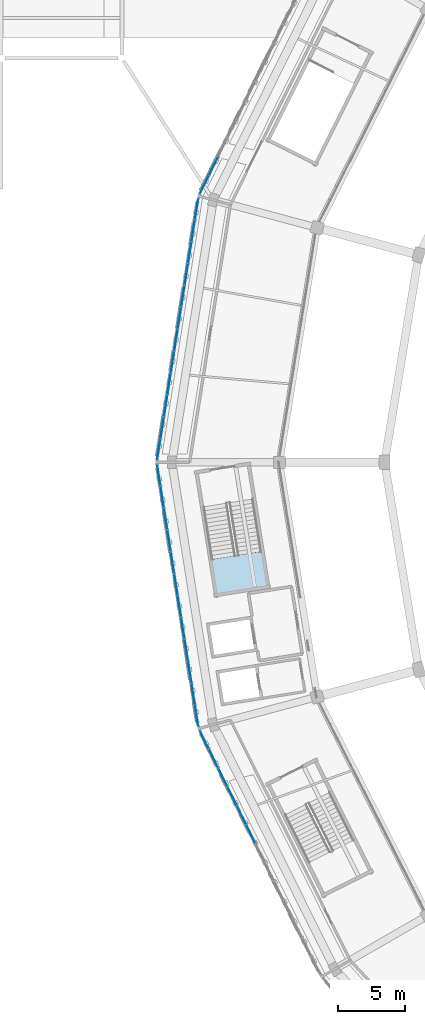
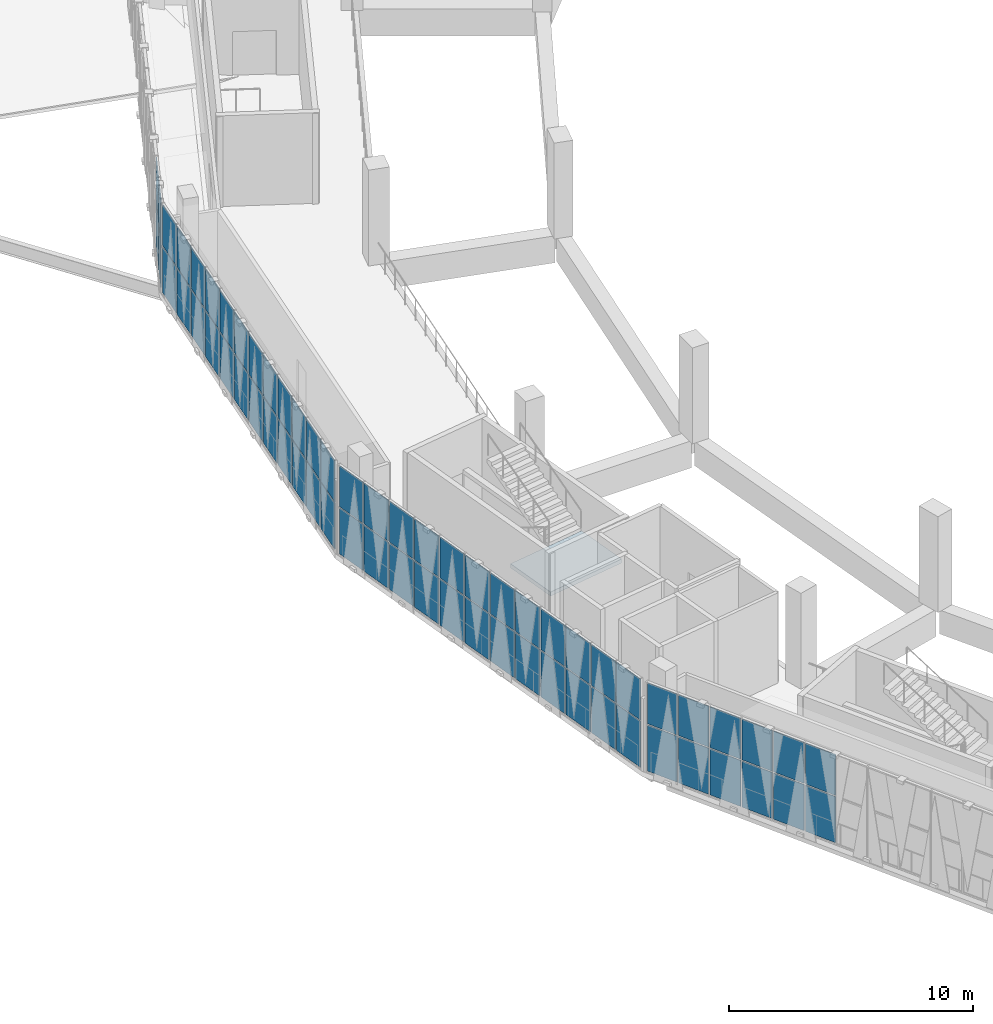
# One storey, part 53 of 108: 64 plates, 1 slab, 5 elements without a shape of their own.
"""IFC4 building model written with IfcOpenShell, lengths in metres."""

from ifc_helpers import new_model, si_unit, direction, frame, origin, origin_2d, place, context, subcontext, project, spatial, polyline, rectangle, outline, extrude, material, layer, layer_set, type_object, element, aggregate, save


model = new_model("IFC4")

# Units and contexts
model_context = context("Model", 3, precision=1e-05, world=origin(), true_north=direction((0.0, 1.0)))
body_context = subcontext(model_context, "Body", "Model", "MODEL_VIEW")
ifc_project = project(units=[si_unit("LENGTHUNIT", "METRE"), si_unit("AREAUNIT", "SQUARE_METRE"), si_unit("VOLUMEUNIT", "CUBIC_METRE"), si_unit("PLANEANGLEUNIT", "RADIAN"), si_unit("MASSUNIT", "GRAM", prefix="KILO")], contexts=[model_context])

# Site, building, storey
site_placement = place(None, origin())
site = spatial("IfcSite", under=ifc_project, at=site_placement, CompositionType="ELEMENT")
building_placement = place(site_placement, origin())
building = spatial("IfcBuilding", under=site, at=building_placement, Name="Zevraka Park Crest Stadium", CompositionType="ELEMENT")
storey_placement = place(building_placement, frame((0.0, 0.0, 19.800048828125)))
storey = spatial("IfcBuildingStorey", under=building, at=storey_placement, Name="L04", CompositionType="ELEMENT", Elevation=19.800048828125)

# Curtain wall, plates
ifc_material_1 = material(Name="Anodised architectural aluminium and laminated safety glass", Category="aluminium")
curtain_wall_type_1 = type_object("IfcCurtainWallType", Name="CW16", PredefinedType="NOTDEFINED", material=ifc_material_1)
curtain_wall_1_placement = place(storey_placement, origin())
curtain_wall_1 = element("IfcCurtainWall", 1, at=curtain_wall_1_placement, inside=storey, type_object=curtain_wall_type_1, Name="Unitised Ring Curtain Wall CW16 L04-11", PredefinedType="NOTDEFINED")
ifc_material_2 = material(Name="Solar-control laminated double glazing", Category="glass")
ifc_layer_1 = layer(ifc_material_2, 0.031982421875)
ifc_layer_set_1 = layer_set([ifc_layer_1], Name="Solar-control laminated double glazing")
plate_type_1 = type_object("IfcPlateType", Name="CP16", PredefinedType="CURTAIN_PANEL", material=ifc_layer_set_1)
plate_1_placement = place(storey_placement, frame((23.544677734375, 110.82080078125, 0.059814453125), z_axis=(0.0, 0.0, 1.0), x_axis=(-0.155539038066, -0.987829746281, 0.0)))
plate_1 = element("IfcPlate", 2, at=plate_1_placement, type_object=plate_type_1, Name="CW16 panel 1.1", PredefinedType="CURTAIN_PANEL", context=body_context, shape_type="SweptSolid", body=[
    extrude(rectangle(XDim=1.556884765625, YDim=0.031982421875, at=origin_2d()), origin(), (0.0, 0.0, 1.0), 2.31005859375),
])
plate_2_placement = place(storey_placement, frame((23.544677734375, 110.82080078125, 2.4296875), z_axis=(0.0, 0.0, 1.0), x_axis=(-0.155539038066, -0.987829746281, 0.0)))
plate_2 = element("IfcPlate", 3, at=plate_2_placement, type_object=plate_type_1, Name="CW16 panel 1.2", PredefinedType="CURTAIN_PANEL", context=body_context, shape_type="SweptSolid", body=[
    extrude(rectangle(XDim=1.556884765625, YDim=0.031982421875, at=origin_2d()), origin(), (0.0, 0.0, 1.0), 2.050048828125),
])
plate_3_placement = place(storey_placement, frame((23.290771484375, 109.208740234375, 0.059814453125), z_axis=(0.0, 0.0, 1.0), x_axis=(-0.155539038066, -0.987829746281, 0.0)))
plate_3 = element("IfcPlate", 4, at=plate_3_placement, type_object=plate_type_1, Name="CW16 panel 2.1", PredefinedType="CURTAIN_PANEL", context=body_context, shape_type="SweptSolid", body=[
    extrude(rectangle(XDim=1.5869140625, YDim=0.031982421875, at=origin_2d()), origin(), (0.0, 0.0, 1.0), 2.31005859375),
])
plate_4_placement = place(storey_placement, frame((23.290771484375, 109.208740234375, 2.4296875), z_axis=(0.0, 0.0, 1.0), x_axis=(-0.155539038066, -0.987829746281, 0.0)))
plate_4 = element("IfcPlate", 5, at=plate_4_placement, type_object=plate_type_1, Name="CW16 panel 2.2", PredefinedType="CURTAIN_PANEL", context=body_context, shape_type="SweptSolid", body=[
    extrude(rectangle(XDim=1.5869140625, YDim=0.031982421875, at=origin_2d()), origin(), (0.0, 0.0, 1.0), 2.050048828125),
])
plate_5_placement = place(storey_placement, frame((23.03466796875, 107.581787109375, 0.059814453125), z_axis=(0.0, 0.0, 1.0), x_axis=(-0.155539038066, -0.987829746281, 0.0)))
plate_5 = element("IfcPlate", 6, at=plate_5_placement, type_object=plate_type_1, Name="CW16 panel 3.1", PredefinedType="CURTAIN_PANEL", context=body_context, shape_type="SweptSolid", body=[
    extrude(rectangle(XDim=1.5869140625, YDim=0.031982421875, at=origin_2d()), origin(), (0.0, 0.0, 1.0), 2.31005859375),
])
plate_6_placement = place(storey_placement, frame((23.03466796875, 107.581787109375, 2.4296875), z_axis=(0.0, 0.0, 1.0), x_axis=(-0.155539038066, -0.987829746281, 0.0)))
plate_6 = element("IfcPlate", 7, at=plate_6_placement, type_object=plate_type_1, Name="CW16 panel 3.2", PredefinedType="CURTAIN_PANEL", context=body_context, shape_type="SweptSolid", body=[
    extrude(rectangle(XDim=1.5869140625, YDim=0.031982421875, at=origin_2d()), origin(), (0.0, 0.0, 1.0), 2.050048828125),
])
plate_7_placement = place(storey_placement, frame((22.7783203125, 105.954833984375, 0.059814453125), z_axis=(0.0, 0.0, 1.0), x_axis=(-0.155539038066, -0.987829746281, 0.0)))
plate_7 = element("IfcPlate", 8, at=plate_7_placement, type_object=plate_type_1, Name="CW16 panel 4.1", PredefinedType="CURTAIN_PANEL", context=body_context, shape_type="SweptSolid", body=[
    extrude(rectangle(XDim=1.5869140625, YDim=0.031982421875, at=origin_2d()), origin(), (0.0, 0.0, 1.0), 2.31005859375),
])
plate_8_placement = place(storey_placement, frame((22.7783203125, 105.954833984375, 2.4296875), z_axis=(0.0, 0.0, 1.0), x_axis=(-0.155539038066, -0.987829746281, 0.0)))
plate_8 = element("IfcPlate", 9, at=plate_8_placement, type_object=plate_type_1, Name="CW16 panel 4.2", PredefinedType="CURTAIN_PANEL", context=body_context, shape_type="SweptSolid", body=[
    extrude(rectangle(XDim=1.5869140625, YDim=0.031982421875, at=origin_2d()), origin(), (0.0, 0.0, 1.0), 2.050048828125),
])
plate_9_placement = place(storey_placement, frame((22.522216796875, 104.327880859375, 0.059814453125), z_axis=(0.0, 0.0, 1.0), x_axis=(-0.155539038066, -0.987829746281, 0.0)))
plate_9 = element("IfcPlate", 10, at=plate_9_placement, type_object=plate_type_1, Name="CW16 panel 5.1", PredefinedType="CURTAIN_PANEL", context=body_context, shape_type="SweptSolid", body=[
    extrude(rectangle(XDim=1.5869140625, YDim=0.031982421875, at=origin_2d()), origin(), (0.0, 0.0, 1.0), 2.31005859375),
])
plate_10_placement = place(storey_placement, frame((22.522216796875, 104.327880859375, 2.4296875), z_axis=(0.0, 0.0, 1.0), x_axis=(-0.155539038066, -0.987829746281, 0.0)))
plate_10 = element("IfcPlate", 11, at=plate_10_placement, type_object=plate_type_1, Name="CW16 panel 5.2", PredefinedType="CURTAIN_PANEL", context=body_context, shape_type="SweptSolid", body=[
    extrude(rectangle(XDim=1.5869140625, YDim=0.031982421875, at=origin_2d()), origin(), (0.0, 0.0, 1.0), 2.050048828125),
])
plate_11_placement = place(storey_placement, frame((22.26611328125, 102.700927734375, 0.059814453125), z_axis=(0.0, 0.0, 1.0), x_axis=(-0.155539038066, -0.987829746281, 0.0)))
plate_11 = element("IfcPlate", 12, at=plate_11_placement, type_object=plate_type_1, Name="CW16 panel 6.1", PredefinedType="CURTAIN_PANEL", context=body_context, shape_type="SweptSolid", body=[
    extrude(rectangle(XDim=1.5869140625, YDim=0.031982421875, at=origin_2d()), origin(), (0.0, 0.0, 1.0), 2.31005859375),
])
plate_12_placement = place(storey_placement, frame((22.26611328125, 102.700927734375, 2.4296875), z_axis=(0.0, 0.0, 1.0), x_axis=(-0.155539038066, -0.987829746281, 0.0)))
plate_12 = element("IfcPlate", 13, at=plate_12_placement, type_object=plate_type_1, Name="CW16 panel 6.2", PredefinedType="CURTAIN_PANEL", context=body_context, shape_type="SweptSolid", body=[
    extrude(rectangle(XDim=1.5869140625, YDim=0.031982421875, at=origin_2d()), origin(), (0.0, 0.0, 1.0), 2.050048828125),
])
plate_13_placement = place(storey_placement, frame((22.010009765625, 101.073974609375, 0.059814453125), z_axis=(0.0, 0.0, 1.0), x_axis=(-0.155539038066, -0.987829746281, 0.0)))
plate_13 = element("IfcPlate", 14, at=plate_13_placement, type_object=plate_type_1, Name="CW16 panel 7.1", PredefinedType="CURTAIN_PANEL", context=body_context, shape_type="SweptSolid", body=[
    extrude(rectangle(XDim=1.5869140625, YDim=0.031982421875, at=origin_2d()), origin(), (0.0, 0.0, 1.0), 2.31005859375),
])
plate_14_placement = place(storey_placement, frame((22.010009765625, 101.073974609375, 2.4296875), z_axis=(0.0, 0.0, 1.0), x_axis=(-0.155539038066, -0.987829746281, 0.0)))
plate_14 = element("IfcPlate", 15, at=plate_14_placement, type_object=plate_type_1, Name="CW16 panel 7.2", PredefinedType="CURTAIN_PANEL", context=body_context, shape_type="SweptSolid", body=[
    extrude(rectangle(XDim=1.5869140625, YDim=0.031982421875, at=origin_2d()), origin(), (0.0, 0.0, 1.0), 2.050048828125),
])
plate_15_placement = place(storey_placement, frame((21.753662109375, 99.447021484375, 0.059814453125), z_axis=(0.0, 0.0, 1.0), x_axis=(-0.155539038066, -0.987829746281, 0.0)))
plate_15 = element("IfcPlate", 16, at=plate_15_placement, type_object=plate_type_1, Name="CW16 panel 8.1", PredefinedType="CURTAIN_PANEL", context=body_context, shape_type="SweptSolid", body=[
    extrude(rectangle(XDim=1.5869140625, YDim=0.031982421875, at=origin_2d()), origin(), (0.0, 0.0, 1.0), 2.31005859375),
])
plate_16_placement = place(storey_placement, frame((21.753662109375, 99.447021484375, 2.4296875), z_axis=(0.0, 0.0, 1.0), x_axis=(-0.155539038066, -0.987829746281, 0.0)))
plate_16 = element("IfcPlate", 17, at=plate_16_placement, type_object=plate_type_1, Name="CW16 panel 8.2", PredefinedType="CURTAIN_PANEL", context=body_context, shape_type="SweptSolid", body=[
    extrude(rectangle(XDim=1.5869140625, YDim=0.031982421875, at=origin_2d()), origin(), (0.0, 0.0, 1.0), 2.050048828125),
])
plate_17_placement = place(storey_placement, frame((21.49755859375, 97.8203125, 0.059814453125), z_axis=(0.0, 0.0, 1.0), x_axis=(-0.155539038066, -0.987829746281, 0.0)))
plate_17 = element("IfcPlate", 18, at=plate_17_placement, type_object=plate_type_1, Name="CW16 panel 9.1", PredefinedType="CURTAIN_PANEL", context=body_context, shape_type="SweptSolid", body=[
    extrude(rectangle(XDim=1.5869140625, YDim=0.031982421875, at=origin_2d()), origin(), (0.0, 0.0, 1.0), 2.31005859375),
])
plate_18_placement = place(storey_placement, frame((21.49755859375, 97.8203125, 2.4296875), z_axis=(0.0, 0.0, 1.0), x_axis=(-0.155539038066, -0.987829746281, 0.0)))
plate_18 = element("IfcPlate", 19, at=plate_18_placement, type_object=plate_type_1, Name="CW16 panel 9.2", PredefinedType="CURTAIN_PANEL", context=body_context, shape_type="SweptSolid", body=[
    extrude(rectangle(XDim=1.5869140625, YDim=0.031982421875, at=origin_2d()), origin(), (0.0, 0.0, 1.0), 2.050048828125),
])
plate_19_placement = place(storey_placement, frame((21.241455078125, 96.193359375, 0.059814453125), z_axis=(0.0, 0.0, 1.0), x_axis=(-0.155539038066, -0.987829746281, 0.0)))
plate_19 = element("IfcPlate", 20, at=plate_19_placement, type_object=plate_type_1, Name="CW16 panel 10.1", PredefinedType="CURTAIN_PANEL", context=body_context, shape_type="SweptSolid", body=[
    extrude(rectangle(XDim=1.5869140625, YDim=0.031982421875, at=origin_2d()), origin(), (0.0, 0.0, 1.0), 2.31005859375),
])
plate_20_placement = place(storey_placement, frame((21.241455078125, 96.193359375, 2.4296875), z_axis=(0.0, 0.0, 1.0), x_axis=(-0.155539038066, -0.987829746281, 0.0)))
plate_20 = element("IfcPlate", 21, at=plate_20_placement, type_object=plate_type_1, Name="CW16 panel 10.2", PredefinedType="CURTAIN_PANEL", context=body_context, shape_type="SweptSolid", body=[
    extrude(rectangle(XDim=1.5869140625, YDim=0.031982421875, at=origin_2d()), origin(), (0.0, 0.0, 1.0), 2.050048828125),
])
plate_21_placement = place(storey_placement, frame((20.9853515625, 94.56640625, 0.059814453125), z_axis=(0.0, 0.0, 1.0), x_axis=(-0.155539038066, -0.987829746281, 0.0)))
plate_21 = element("IfcPlate", 22, at=plate_21_placement, type_object=plate_type_1, Name="CW16 panel 11.1", PredefinedType="CURTAIN_PANEL", context=body_context, shape_type="SweptSolid", body=[
    extrude(rectangle(XDim=1.5869140625, YDim=0.031982421875, at=origin_2d()), origin(), (0.0, 0.0, 1.0), 2.31005859375),
])
plate_22_placement = place(storey_placement, frame((20.9853515625, 94.56640625, 2.4296875), z_axis=(0.0, 0.0, 1.0), x_axis=(-0.155539038066, -0.987829746281, 0.0)))
plate_22 = element("IfcPlate", 23, at=plate_22_placement, type_object=plate_type_1, Name="CW16 panel 11.2", PredefinedType="CURTAIN_PANEL", context=body_context, shape_type="SweptSolid", body=[
    extrude(rectangle(XDim=1.5869140625, YDim=0.031982421875, at=origin_2d()), origin(), (0.0, 0.0, 1.0), 2.050048828125),
])
plate_23_placement = place(storey_placement, frame((20.7314453125, 92.954345703125, 0.059814453125), z_axis=(0.0, 0.0, 1.0), x_axis=(-0.155539038066, -0.987829746281, 0.0)))
plate_23 = element("IfcPlate", 24, at=plate_23_placement, type_object=plate_type_1, Name="CW16 panel 12.1", PredefinedType="CURTAIN_PANEL", context=body_context, shape_type="SweptSolid", body=[
    extrude(rectangle(XDim=1.556884765625, YDim=0.031982421875, at=origin_2d()), origin(), (0.0, 0.0, 1.0), 2.31005859375),
])
plate_24_placement = place(storey_placement, frame((20.7314453125, 92.954345703125, 2.4296875), z_axis=(0.0, 0.0, 1.0), x_axis=(-0.155539038066, -0.987829746281, 0.0)))
plate_24 = element("IfcPlate", 25, at=plate_24_placement, type_object=plate_type_1, Name="CW16 panel 12.2", PredefinedType="CURTAIN_PANEL", context=body_context, shape_type="SweptSolid", body=[
    extrude(rectangle(XDim=1.556884765625, YDim=0.031982421875, at=origin_2d()), origin(), (0.0, 0.0, 1.0), 2.050048828125),
])
aggregate(curtain_wall_1, [plate_1, plate_2, plate_3, plate_4, plate_5, plate_6, plate_7, plate_8, plate_9, plate_10, plate_11, plate_12, plate_13, plate_14, plate_15, plate_16, plate_17, plate_18, plate_19, plate_20, plate_21, plate_22, plate_23, plate_24])

curtain_wall_2_placement = place(storey_placement, origin())
curtain_wall_2 = element("IfcCurtainWall", 26, at=curtain_wall_2_placement, inside=storey, type_object=curtain_wall_type_1, Name="Unitised Ring Curtain Wall CW16 L04-12", PredefinedType="NOTDEFINED")
plate_25_placement = place(storey_placement, frame((20.7314453125, 91.045654296875, 0.059814453125), z_axis=(0.0, 0.0, 1.0), x_axis=(0.155539038066, -0.987829746281, 0.0)))
plate_25 = element("IfcPlate", 27, at=plate_25_placement, type_object=plate_type_1, Name="CW16 panel 1.1", PredefinedType="CURTAIN_PANEL", context=body_context, shape_type="SweptSolid", body=[
    extrude(rectangle(XDim=1.556884765625, YDim=0.031982421875, at=origin_2d()), origin(), (0.0, 0.0, 1.0), 2.31005859375),
])
plate_26_placement = place(storey_placement, frame((20.7314453125, 91.045654296875, 2.4296875), z_axis=(0.0, 0.0, 1.0), x_axis=(0.155539038066, -0.987829746281, 0.0)))
plate_26 = element("IfcPlate", 28, at=plate_26_placement, type_object=plate_type_1, Name="CW16 panel 1.2", PredefinedType="CURTAIN_PANEL", context=body_context, shape_type="SweptSolid", body=[
    extrude(rectangle(XDim=1.556884765625, YDim=0.031982421875, at=origin_2d()), origin(), (0.0, 0.0, 1.0), 2.050048828125),
])
plate_27_placement = place(storey_placement, frame((20.9853515625, 89.43359375, 0.059814453125), z_axis=(0.0, 0.0, 1.0), x_axis=(0.155539038066, -0.987829746281, 0.0)))
plate_27 = element("IfcPlate", 29, at=plate_27_placement, type_object=plate_type_1, Name="CW16 panel 2.1", PredefinedType="CURTAIN_PANEL", context=body_context, shape_type="SweptSolid", body=[
    extrude(rectangle(XDim=1.5869140625, YDim=0.031982421875, at=origin_2d()), origin(), (0.0, 0.0, 1.0), 2.31005859375),
])
plate_28_placement = place(storey_placement, frame((20.9853515625, 89.43359375, 2.4296875), z_axis=(0.0, 0.0, 1.0), x_axis=(0.155539038066, -0.987829746281, 0.0)))
plate_28 = element("IfcPlate", 30, at=plate_28_placement, type_object=plate_type_1, Name="CW16 panel 2.2", PredefinedType="CURTAIN_PANEL", context=body_context, shape_type="SweptSolid", body=[
    extrude(rectangle(XDim=1.5869140625, YDim=0.031982421875, at=origin_2d()), origin(), (0.0, 0.0, 1.0), 2.050048828125),
])
plate_29_placement = place(storey_placement, frame((21.241455078125, 87.806640625, 0.059814453125), z_axis=(0.0, 0.0, 1.0), x_axis=(0.155539038066, -0.987829746281, 0.0)))
plate_29 = element("IfcPlate", 31, at=plate_29_placement, type_object=plate_type_1, Name="CW16 panel 3.1", PredefinedType="CURTAIN_PANEL", context=body_context, shape_type="SweptSolid", body=[
    extrude(rectangle(XDim=1.5869140625, YDim=0.031982421875, at=origin_2d()), origin(), (0.0, 0.0, 1.0), 2.31005859375),
])
plate_30_placement = place(storey_placement, frame((21.241455078125, 87.806640625, 2.4296875), z_axis=(0.0, 0.0, 1.0), x_axis=(0.155539038066, -0.987829746281, 0.0)))
plate_30 = element("IfcPlate", 32, at=plate_30_placement, type_object=plate_type_1, Name="CW16 panel 3.2", PredefinedType="CURTAIN_PANEL", context=body_context, shape_type="SweptSolid", body=[
    extrude(rectangle(XDim=1.5869140625, YDim=0.031982421875, at=origin_2d()), origin(), (0.0, 0.0, 1.0), 2.050048828125),
])
plate_31_placement = place(storey_placement, frame((21.49755859375, 86.1796875, 0.059814453125), z_axis=(0.0, 0.0, 1.0), x_axis=(0.155539038066, -0.987829746281, 0.0)))
plate_31 = element("IfcPlate", 33, at=plate_31_placement, type_object=plate_type_1, Name="CW16 panel 4.1", PredefinedType="CURTAIN_PANEL", context=body_context, shape_type="SweptSolid", body=[
    extrude(rectangle(XDim=1.5869140625, YDim=0.031982421875, at=origin_2d()), origin(), (0.0, 0.0, 1.0), 2.31005859375),
])
plate_32_placement = place(storey_placement, frame((21.49755859375, 86.1796875, 2.4296875), z_axis=(0.0, 0.0, 1.0), x_axis=(0.155539038066, -0.987829746281, 0.0)))
plate_32 = element("IfcPlate", 34, at=plate_32_placement, type_object=plate_type_1, Name="CW16 panel 4.2", PredefinedType="CURTAIN_PANEL", context=body_context, shape_type="SweptSolid", body=[
    extrude(rectangle(XDim=1.5869140625, YDim=0.031982421875, at=origin_2d()), origin(), (0.0, 0.0, 1.0), 2.050048828125),
])
plate_33_placement = place(storey_placement, frame((21.753662109375, 84.552978515625, 0.059814453125), z_axis=(0.0, 0.0, 1.0), x_axis=(0.155539038066, -0.987829746281, 0.0)))
plate_33 = element("IfcPlate", 35, at=plate_33_placement, type_object=plate_type_1, Name="CW16 panel 5.1", PredefinedType="CURTAIN_PANEL", context=body_context, shape_type="SweptSolid", body=[
    extrude(rectangle(XDim=1.5869140625, YDim=0.031982421875, at=origin_2d()), origin(), (0.0, 0.0, 1.0), 2.31005859375),
])
plate_34_placement = place(storey_placement, frame((21.753662109375, 84.552978515625, 2.4296875), z_axis=(0.0, 0.0, 1.0), x_axis=(0.155539038066, -0.987829746281, 0.0)))
plate_34 = element("IfcPlate", 36, at=plate_34_placement, type_object=plate_type_1, Name="CW16 panel 5.2", PredefinedType="CURTAIN_PANEL", context=body_context, shape_type="SweptSolid", body=[
    extrude(rectangle(XDim=1.5869140625, YDim=0.031982421875, at=origin_2d()), origin(), (0.0, 0.0, 1.0), 2.050048828125),
])
plate_35_placement = place(storey_placement, frame((22.010009765625, 82.926025390625, 0.059814453125), z_axis=(0.0, 0.0, 1.0), x_axis=(0.155539038066, -0.987829746281, 0.0)))
plate_35 = element("IfcPlate", 37, at=plate_35_placement, type_object=plate_type_1, Name="CW16 panel 6.1", PredefinedType="CURTAIN_PANEL", context=body_context, shape_type="SweptSolid", body=[
    extrude(rectangle(XDim=1.5869140625, YDim=0.031982421875, at=origin_2d()), origin(), (0.0, 0.0, 1.0), 2.31005859375),
])
plate_36_placement = place(storey_placement, frame((22.010009765625, 82.926025390625, 2.4296875), z_axis=(0.0, 0.0, 1.0), x_axis=(0.155539038066, -0.987829746281, 0.0)))
plate_36 = element("IfcPlate", 38, at=plate_36_placement, type_object=plate_type_1, Name="CW16 panel 6.2", PredefinedType="CURTAIN_PANEL", context=body_context, shape_type="SweptSolid", body=[
    extrude(rectangle(XDim=1.5869140625, YDim=0.031982421875, at=origin_2d()), origin(), (0.0, 0.0, 1.0), 2.050048828125),
])
plate_37_placement = place(storey_placement, frame((22.26611328125, 81.299072265625, 0.059814453125), z_axis=(0.0, 0.0, 1.0), x_axis=(0.155539038066, -0.987829746281, 0.0)))
plate_37 = element("IfcPlate", 39, at=plate_37_placement, type_object=plate_type_1, Name="CW16 panel 7.1", PredefinedType="CURTAIN_PANEL", context=body_context, shape_type="SweptSolid", body=[
    extrude(rectangle(XDim=1.5869140625, YDim=0.031982421875, at=origin_2d()), origin(), (0.0, 0.0, 1.0), 2.31005859375),
])
plate_38_placement = place(storey_placement, frame((22.26611328125, 81.299072265625, 2.4296875), z_axis=(0.0, 0.0, 1.0), x_axis=(0.155539038066, -0.987829746281, 0.0)))
plate_38 = element("IfcPlate", 40, at=plate_38_placement, type_object=plate_type_1, Name="CW16 panel 7.2", PredefinedType="CURTAIN_PANEL", context=body_context, shape_type="SweptSolid", body=[
    extrude(rectangle(XDim=1.5869140625, YDim=0.031982421875, at=origin_2d()), origin(), (0.0, 0.0, 1.0), 2.050048828125),
])
plate_39_placement = place(storey_placement, frame((22.522216796875, 79.672119140625, 0.059814453125), z_axis=(0.0, 0.0, 1.0), x_axis=(0.155539038066, -0.987829746281, 0.0)))
plate_39 = element("IfcPlate", 41, at=plate_39_placement, type_object=plate_type_1, Name="CW16 panel 8.1", PredefinedType="CURTAIN_PANEL", context=body_context, shape_type="SweptSolid", body=[
    extrude(rectangle(XDim=1.5869140625, YDim=0.031982421875, at=origin_2d()), origin(), (0.0, 0.0, 1.0), 2.31005859375),
])
plate_40_placement = place(storey_placement, frame((22.522216796875, 79.672119140625, 2.4296875), z_axis=(0.0, 0.0, 1.0), x_axis=(0.155539038066, -0.987829746281, 0.0)))
plate_40 = element("IfcPlate", 42, at=plate_40_placement, type_object=plate_type_1, Name="CW16 panel 8.2", PredefinedType="CURTAIN_PANEL", context=body_context, shape_type="SweptSolid", body=[
    extrude(rectangle(XDim=1.5869140625, YDim=0.031982421875, at=origin_2d()), origin(), (0.0, 0.0, 1.0), 2.050048828125),
])
plate_41_placement = place(storey_placement, frame((22.7783203125, 78.045166015625, 0.059814453125), z_axis=(0.0, 0.0, 1.0), x_axis=(0.155539038066, -0.987829746281, 0.0)))
plate_41 = element("IfcPlate", 43, at=plate_41_placement, type_object=plate_type_1, Name="CW16 panel 9.1", PredefinedType="CURTAIN_PANEL", context=body_context, shape_type="SweptSolid", body=[
    extrude(rectangle(XDim=1.5869140625, YDim=0.031982421875, at=origin_2d()), origin(), (0.0, 0.0, 1.0), 2.31005859375),
])
plate_42_placement = place(storey_placement, frame((22.7783203125, 78.045166015625, 2.4296875), z_axis=(0.0, 0.0, 1.0), x_axis=(0.155539038066, -0.987829746281, 0.0)))
plate_42 = element("IfcPlate", 44, at=plate_42_placement, type_object=plate_type_1, Name="CW16 panel 9.2", PredefinedType="CURTAIN_PANEL", context=body_context, shape_type="SweptSolid", body=[
    extrude(rectangle(XDim=1.5869140625, YDim=0.031982421875, at=origin_2d()), origin(), (0.0, 0.0, 1.0), 2.050048828125),
])
plate_43_placement = place(storey_placement, frame((23.03466796875, 76.418212890625, 0.059814453125), z_axis=(0.0, 0.0, 1.0), x_axis=(0.155539038066, -0.987829746281, 0.0)))
plate_43 = element("IfcPlate", 45, at=plate_43_placement, type_object=plate_type_1, Name="CW16 panel 10.1", PredefinedType="CURTAIN_PANEL", context=body_context, shape_type="SweptSolid", body=[
    extrude(rectangle(XDim=1.5869140625, YDim=0.031982421875, at=origin_2d()), origin(), (0.0, 0.0, 1.0), 2.31005859375),
])
plate_44_placement = place(storey_placement, frame((23.03466796875, 76.418212890625, 2.4296875), z_axis=(0.0, 0.0, 1.0), x_axis=(0.155539038066, -0.987829746281, 0.0)))
plate_44 = element("IfcPlate", 46, at=plate_44_placement, type_object=plate_type_1, Name="CW16 panel 10.2", PredefinedType="CURTAIN_PANEL", context=body_context, shape_type="SweptSolid", body=[
    extrude(rectangle(XDim=1.5869140625, YDim=0.031982421875, at=origin_2d()), origin(), (0.0, 0.0, 1.0), 2.050048828125),
])
plate_45_placement = place(storey_placement, frame((23.290771484375, 74.791259765625, 0.059814453125), z_axis=(0.0, 0.0, 1.0), x_axis=(0.155539038066, -0.987829746281, 0.0)))
plate_45 = element("IfcPlate", 47, at=plate_45_placement, type_object=plate_type_1, Name="CW16 panel 11.1", PredefinedType="CURTAIN_PANEL", context=body_context, shape_type="SweptSolid", body=[
    extrude(rectangle(XDim=1.5869140625, YDim=0.031982421875, at=origin_2d()), origin(), (0.0, 0.0, 1.0), 2.31005859375),
])
plate_46_placement = place(storey_placement, frame((23.290771484375, 74.791259765625, 2.4296875), z_axis=(0.0, 0.0, 1.0), x_axis=(0.155539038066, -0.987829746281, 0.0)))
plate_46 = element("IfcPlate", 48, at=plate_46_placement, type_object=plate_type_1, Name="CW16 panel 11.2", PredefinedType="CURTAIN_PANEL", context=body_context, shape_type="SweptSolid", body=[
    extrude(rectangle(XDim=1.5869140625, YDim=0.031982421875, at=origin_2d()), origin(), (0.0, 0.0, 1.0), 2.050048828125),
])
plate_47_placement = place(storey_placement, frame((23.544677734375, 73.17919921875, 0.059814453125), z_axis=(0.0, 0.0, 1.0), x_axis=(0.155539038066, -0.987829746281, 0.0)))
plate_47 = element("IfcPlate", 49, at=plate_47_placement, type_object=plate_type_1, Name="CW16 panel 12.1", PredefinedType="CURTAIN_PANEL", context=body_context, shape_type="SweptSolid", body=[
    extrude(rectangle(XDim=1.556884765625, YDim=0.031982421875, at=origin_2d()), origin(), (0.0, 0.0, 1.0), 2.31005859375),
])
plate_48_placement = place(storey_placement, frame((23.544677734375, 73.17919921875, 2.4296875), z_axis=(0.0, 0.0, 1.0), x_axis=(0.155539038066, -0.987829746281, 0.0)))
plate_48 = element("IfcPlate", 50, at=plate_48_placement, type_object=plate_type_1, Name="CW16 panel 12.2", PredefinedType="CURTAIN_PANEL", context=body_context, shape_type="SweptSolid", body=[
    extrude(rectangle(XDim=1.556884765625, YDim=0.031982421875, at=origin_2d()), origin(), (0.0, 0.0, 1.0), 2.050048828125),
])
aggregate(curtain_wall_2, [plate_25, plate_26, plate_27, plate_28, plate_29, plate_30, plate_31, plate_32, plate_33, plate_34, plate_35, plate_36, plate_37, plate_38, plate_39, plate_40, plate_41, plate_42, plate_43, plate_44, plate_45, plate_46, plate_47, plate_48])

ifc_material_3 = material(Name="Anodised architectural aluminium and laminated safety glass", Category="aluminium")
curtain_wall_type_2 = type_object("IfcCurtainWallType", Name="CW17", PredefinedType="NOTDEFINED", material=ifc_material_3)
curtain_wall_3_placement = place(storey_placement, origin())
curtain_wall_3 = element("IfcCurtainWall", 51, at=curtain_wall_3_placement, inside=storey, type_object=curtain_wall_type_2, Name="Unitised Ring Curtain Wall CW17 L04-10", PredefinedType="NOTDEFINED")
ifc_material_4 = material(Name="Solar-control laminated double glazing", Category="glass")
ifc_layer_2 = layer(ifc_material_4, 0.031982421875)
ifc_layer_set_2 = layer_set([ifc_layer_2], Name="Solar-control laminated double glazing")
plate_type_2 = type_object("IfcPlateType", Name="CP17", PredefinedType="CURTAIN_PANEL", material=ifc_layer_set_2)
plate_49_placement = place(storey_placement, frame((24.79248046875, 113.989990234375, 0.06494140625), z_axis=(0.0, 0.0, 1.0), x_axis=(-0.443961067545, -0.896046076106, 0.0)))
plate_49 = element("IfcPlate", 52, at=plate_49_placement, type_object=plate_type_2, Name="CW17 panel 12.1", PredefinedType="CURTAIN_PANEL", context=body_context, shape_type="SweptSolid", body=[
    extrude(rectangle(XDim=1.497314453125, YDim=0.031982421875, at=origin_2d()), origin(), (0.0, 0.0, 1.0), 2.302490234375),
])
plate_50_placement = place(storey_placement, frame((24.79248046875, 113.989990234375, 2.432373046875), z_axis=(0.0, 0.0, 1.0), x_axis=(-0.443961067545, -0.896046076106, 0.0)))
plate_50 = element("IfcPlate", 53, at=plate_50_placement, type_object=plate_type_2, Name="CW17 panel 12.2", PredefinedType="CURTAIN_PANEL", context=body_context, shape_type="SweptSolid", body=[
    extrude(rectangle(XDim=1.497314453125, YDim=0.031982421875, at=origin_2d()), origin(), (0.0, 0.0, 1.0), 2.04248046875),
])
plate_51_placement = place(storey_placement, frame((24.10595703125, 112.6044921875, 0.06494140625), z_axis=(0.0, 0.0, 1.0), x_axis=(-0.443961067545, -0.896046076106, 0.0)))
plate_51 = element("IfcPlate", 54, at=plate_51_placement, type_object=plate_type_2, Name="CW17 panel 13.1", PredefinedType="CURTAIN_PANEL", context=body_context, shape_type="SweptSolid", body=[
    extrude(rectangle(XDim=1.46484375, YDim=0.031982421875, at=origin_2d()), origin(), (0.0, 0.0, 1.0), 2.302490234375),
])
plate_52_placement = place(storey_placement, frame((24.10595703125, 112.6044921875, 2.432373046875), z_axis=(0.0, 0.0, 1.0), x_axis=(-0.443961067545, -0.896046076106, 0.0)))
plate_52 = element("IfcPlate", 55, at=plate_52_placement, type_object=plate_type_2, Name="CW17 panel 13.2", PredefinedType="CURTAIN_PANEL", context=body_context, shape_type="SweptSolid", body=[
    extrude(rectangle(XDim=1.46484375, YDim=0.031982421875, at=origin_2d()), origin(), (0.0, 0.0, 1.0), 2.04248046875),
])
aggregate(curtain_wall_3, [plate_49, plate_50, plate_51, plate_52])

curtain_wall_4_placement = place(storey_placement, origin())
curtain_wall_4 = element("IfcCurtainWall", 56, at=curtain_wall_4_placement, inside=storey, type_object=curtain_wall_type_2, Name="Unitised Ring Curtain Wall CW17 L04-13", PredefinedType="NOTDEFINED")
plate_53_placement = place(storey_placement, frame((24.10595703125, 71.3955078125, 0.06494140625), z_axis=(0.0, 0.0, 1.0), x_axis=(0.443961067545, -0.896046076106, 0.0)))
plate_53 = element("IfcPlate", 57, at=plate_53_placement, type_object=plate_type_2, Name="CW17 panel 1.1", PredefinedType="CURTAIN_PANEL", context=body_context, shape_type="SweptSolid", body=[
    extrude(rectangle(XDim=1.46484375, YDim=0.031982421875, at=origin_2d()), origin(), (0.0, 0.0, 1.0), 2.302490234375),
])
plate_54_placement = place(storey_placement, frame((24.10595703125, 71.3955078125, 2.432373046875), z_axis=(0.0, 0.0, 1.0), x_axis=(0.443961067545, -0.896046076106, 0.0)))
plate_54 = element("IfcPlate", 58, at=plate_54_placement, type_object=plate_type_2, Name="CW17 panel 1.2", PredefinedType="CURTAIN_PANEL", context=body_context, shape_type="SweptSolid", body=[
    extrude(rectangle(XDim=1.46484375, YDim=0.031982421875, at=origin_2d()), origin(), (0.0, 0.0, 1.0), 2.04248046875),
])
plate_55_placement = place(storey_placement, frame((24.79248046875, 70.010009765625, 0.06494140625), z_axis=(0.0, 0.0, 1.0), x_axis=(0.443961067545, -0.896046076106, 0.0)))
plate_55 = element("IfcPlate", 59, at=plate_55_placement, type_object=plate_type_2, Name="CW17 panel 2.1", PredefinedType="CURTAIN_PANEL", context=body_context, shape_type="SweptSolid", body=[
    extrude(rectangle(XDim=1.497314453125, YDim=0.031982421875, at=origin_2d()), origin(), (0.0, 0.0, 1.0), 2.302490234375),
])
plate_56_placement = place(storey_placement, frame((24.79248046875, 70.010009765625, 2.432373046875), z_axis=(0.0, 0.0, 1.0), x_axis=(0.443961067545, -0.896046076106, 0.0)))
plate_56 = element("IfcPlate", 60, at=plate_56_placement, type_object=plate_type_2, Name="CW17 panel 2.2", PredefinedType="CURTAIN_PANEL", context=body_context, shape_type="SweptSolid", body=[
    extrude(rectangle(XDim=1.497314453125, YDim=0.031982421875, at=origin_2d()), origin(), (0.0, 0.0, 1.0), 2.04248046875),
])
plate_57_placement = place(storey_placement, frame((25.486083984375, 68.610107421875, 0.06494140625), z_axis=(0.0, 0.0, 1.0), x_axis=(0.443961067545, -0.896046076106, 0.0)))
plate_57 = element("IfcPlate", 61, at=plate_57_placement, type_object=plate_type_2, Name="CW17 panel 3.1", PredefinedType="CURTAIN_PANEL", context=body_context, shape_type="SweptSolid", body=[
    extrude(rectangle(XDim=1.497314453125, YDim=0.031982421875, at=origin_2d()), origin(), (0.0, 0.0, 1.0), 2.302490234375),
])
plate_58_placement = place(storey_placement, frame((25.486083984375, 68.610107421875, 2.432373046875), z_axis=(0.0, 0.0, 1.0), x_axis=(0.443961067545, -0.896046076106, 0.0)))
plate_58 = element("IfcPlate", 62, at=plate_58_placement, type_object=plate_type_2, Name="CW17 panel 3.2", PredefinedType="CURTAIN_PANEL", context=body_context, shape_type="SweptSolid", body=[
    extrude(rectangle(XDim=1.497314453125, YDim=0.031982421875, at=origin_2d()), origin(), (0.0, 0.0, 1.0), 2.04248046875),
])
plate_59_placement = place(storey_placement, frame((26.1796875, 67.210205078125, 0.06494140625), z_axis=(0.0, 0.0, 1.0), x_axis=(0.443961067545, -0.896046076106, 0.0)))
plate_59 = element("IfcPlate", 63, at=plate_59_placement, type_object=plate_type_2, Name="CW17 panel 4.1", PredefinedType="CURTAIN_PANEL", context=body_context, shape_type="SweptSolid", body=[
    extrude(rectangle(XDim=1.497314453125, YDim=0.031982421875, at=origin_2d()), origin(), (0.0, 0.0, 1.0), 2.302490234375),
])
plate_60_placement = place(storey_placement, frame((26.1796875, 67.210205078125, 2.432373046875), z_axis=(0.0, 0.0, 1.0), x_axis=(0.443961067545, -0.896046076106, 0.0)))
plate_60 = element("IfcPlate", 64, at=plate_60_placement, type_object=plate_type_2, Name="CW17 panel 4.2", PredefinedType="CURTAIN_PANEL", context=body_context, shape_type="SweptSolid", body=[
    extrude(rectangle(XDim=1.497314453125, YDim=0.031982421875, at=origin_2d()), origin(), (0.0, 0.0, 1.0), 2.04248046875),
])
plate_61_placement = place(storey_placement, frame((26.873291015625, 65.810302734375, 0.06494140625), z_axis=(0.0, 0.0, 1.0), x_axis=(0.443961067545, -0.896046076106, 0.0)))
plate_61 = element("IfcPlate", 65, at=plate_61_placement, type_object=plate_type_2, Name="CW17 panel 5.1", PredefinedType="CURTAIN_PANEL", context=body_context, shape_type="SweptSolid", body=[
    extrude(rectangle(XDim=1.497314453125, YDim=0.031982421875, at=origin_2d()), origin(), (0.0, 0.0, 1.0), 2.302490234375),
])
plate_62_placement = place(storey_placement, frame((26.873291015625, 65.810302734375, 2.432373046875), z_axis=(0.0, 0.0, 1.0), x_axis=(0.443961067545, -0.896046076106, 0.0)))
plate_62 = element("IfcPlate", 66, at=plate_62_placement, type_object=plate_type_2, Name="CW17 panel 5.2", PredefinedType="CURTAIN_PANEL", context=body_context, shape_type="SweptSolid", body=[
    extrude(rectangle(XDim=1.497314453125, YDim=0.031982421875, at=origin_2d()), origin(), (0.0, 0.0, 1.0), 2.04248046875),
])
plate_63_placement = place(storey_placement, frame((27.56689453125, 64.410400390625, 0.06494140625), z_axis=(0.0, 0.0, 1.0), x_axis=(0.443961067545, -0.896046076106, 0.0)))
plate_63 = element("IfcPlate", 67, at=plate_63_placement, type_object=plate_type_2, Name="CW17 panel 6.1", PredefinedType="CURTAIN_PANEL", context=body_context, shape_type="SweptSolid", body=[
    extrude(rectangle(XDim=1.497314453125, YDim=0.031982421875, at=origin_2d()), origin(), (0.0, 0.0, 1.0), 2.302490234375),
])
plate_64_placement = place(storey_placement, frame((27.56689453125, 64.410400390625, 2.432373046875), z_axis=(0.0, 0.0, 1.0), x_axis=(0.443961067545, -0.896046076106, 0.0)))
plate_64 = element("IfcPlate", 68, at=plate_64_placement, type_object=plate_type_2, Name="CW17 panel 6.2", PredefinedType="CURTAIN_PANEL", context=body_context, shape_type="SweptSolid", body=[
    extrude(rectangle(XDim=1.497314453125, YDim=0.031982421875, at=origin_2d()), origin(), (0.0, 0.0, 1.0), 2.04248046875),
])
aggregate(curtain_wall_4, [plate_53, plate_54, plate_55, plate_56, plate_57, plate_58, plate_59, plate_60, plate_61, plate_62, plate_63, plate_64])

# Stair, slab
ifc_material_5 = material(Name="Concrete C35/45", Category="concrete")
stair_type = type_object("IfcStairType", Name="STA2", PredefinedType="HALF_TURN_STAIR", material=ifc_material_5)
stair_placement = place(storey_placement, origin())
stair = element("IfcStair", 69, at=stair_placement, inside=storey, type_object=stair_type, Name="L04 Protected Concourse Exit Stair ST13", PredefinedType="HALF_TURN_STAIR")
ifc_material_6 = material(Name="Concrete C35/45", Category="concrete")
ifc_layer_3 = layer(ifc_material_6, 0.199951171875)
ifc_layer_set_3 = layer_set([ifc_layer_3], Name="Concrete C35/45")
slab_type = type_object("IfcSlabType", Name="LS01", PredefinedType="LANDING", material=ifc_layer_set_3)
slab_placement = place(storey_placement, frame((0.0, 0.0, 2.199951171875)))
slab = element("IfcSlab", 70, at=slab_placement, type_object=slab_type, Name="ST13 landing 1", PredefinedType="LANDING", context=body_context, shape_type="SweptSolid", body=[
    extrude(outline(polyline([(24.644775390625, 84.794189453125), (25.05517578125, 82.216552734375), (28.7685546875, 82.807861328125), (28.35791015625, 85.385498046875), (24.644775390625, 84.794189453125)])), origin(), (0.0, 0.0, 1.0), 0.199951171875),
])
aggregate(stair, [slab])

save(model, "model.ifc")
